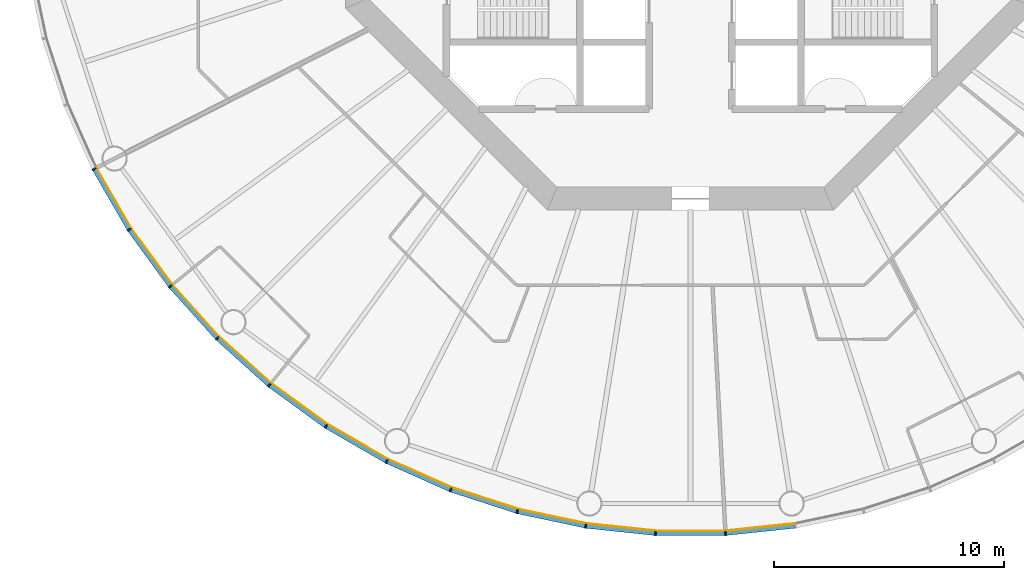
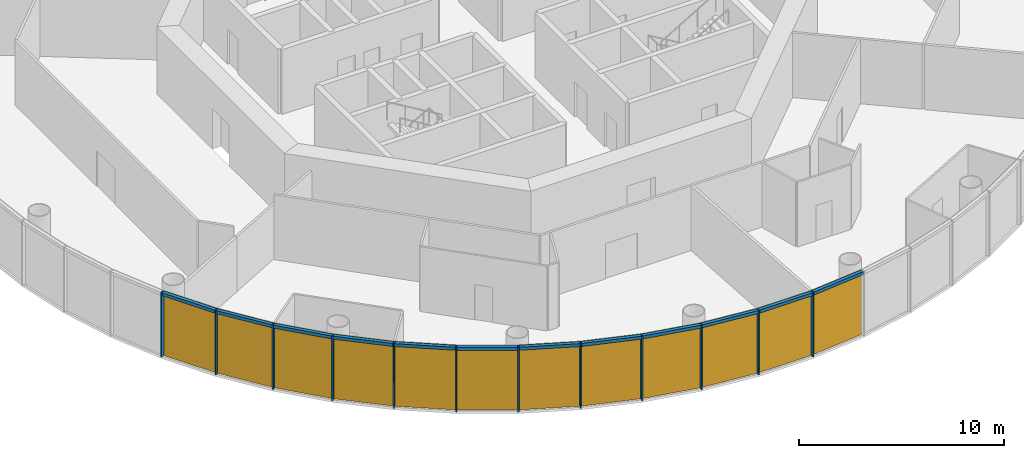
# One storey, part 7 of 13: 24 members, 4 curtain walls.
"""IFC4 building model written with IfcOpenShell, lengths in metres."""

import ifcopenshell
import ifcopenshell.guid

model = None  # the IFC model being written
_history = None  # IfcOwnerHistory: only IFC2X3 demands one
_inside = {}  # id of a spatial element -> (the spatial element, [elements in it])
_under = {}  # id of a project, library or spatial element -> (it, [spatial elements below it])
_declared = {}  # id of a project -> (the project, [libraries it declares])
_typed = {}  # id of a type object -> (the type object, [elements of that type])
_made_of = {}  # id of a material, layer set ... -> (it, [elements and type objects made of it])


def new_model(schema):
    """Start an empty IFC model of exactly this schema.

    Asked for "IFC4X3", IfcOpenShell would pick the latest addendum, in which some entities
    have other attributes; the version numbers below select the first issue.
    IFC2X3 requires an IfcOwnerHistory on every rooted entity: one is made here for all.
    """
    global model, _history
    if schema == "IFC4X3":
        model = ifcopenshell.file(schema_version=(4, 3, 0, 0))
    else:
        model = ifcopenshell.file(schema=schema)
    _inside.clear()
    _under.clear()
    _declared.clear()
    _typed.clear()
    _made_of.clear()
    _history = None
    if model.schema == "IFC2X3":
        org = make("IfcOrganization", Name="unknown")
        user = make(
            "IfcPersonAndOrganization",
            ThePerson=make("IfcPerson", FamilyName="unknown"),
            TheOrganization=org,
        )
        app = make(
            "IfcApplication",
            ApplicationDeveloper=org,
            Version="unknown",
            ApplicationFullName="unknown",
            ApplicationIdentifier="unknown",
        )
        _history = make(
            "IfcOwnerHistory",
            OwningUser=user,
            OwningApplication=app,
            ChangeAction="ADDED",
            CreationDate=0,
        )
    return model


def make(cls, **values):
    """One entity of the class cls with the attributes given. An attribute that is None is left unset."""
    return model.create_entity(
        cls, **{name: value for name, value in values.items() if value is not None}
    )


def rooted(cls, **values):
    """An entity with a GlobalId (a new one), such as an element, a storey or a relation."""
    return make(cls, GlobalId=ifcopenshell.guid.new(), OwnerHistory=_history, **values)


def si_unit(unit_type, name, prefix=None):
    """IfcSIUnit, for example si_unit("LENGTHUNIT", "METRE", prefix="MILLI")."""
    return make("IfcSIUnit", UnitType=unit_type, Prefix=prefix, Name=name)


def assignment(units):
    """IfcUnitAssignment: the units of a project."""
    return None if units is None else make("IfcUnitAssignment", Units=units)


def point(xyz):
    """IfcCartesianPoint."""
    return None if xyz is None else make("IfcCartesianPoint", Coordinates=xyz)


def direction(xyz):
    """IfcDirection."""
    return None if xyz is None else make("IfcDirection", DirectionRatios=xyz)


def frame(location, z_axis=None, x_axis=None):
    """IfcAxis2Placement3D, a coordinate frame: its origin and axes. An axis left out is left unset."""
    return make(
        "IfcAxis2Placement3D",
        Location=point(location),
        Axis=direction(z_axis),
        RefDirection=direction(x_axis),
    )


def frame_2d(location, x_axis=None):
    """IfcAxis2Placement2D, a coordinate frame in the plane: its origin and x axis."""
    return make(
        "IfcAxis2Placement2D", Location=point(location), RefDirection=direction(x_axis)
    )


def origin():
    """The frame at (0, 0, 0) with its axes left unset."""
    return frame((0.0, 0.0, 0.0))


def origin_2d():
    """The frame at (0, 0) in the plane with its x axis left unset."""
    return frame_2d((0.0, 0.0))


def place(relative_to, where):
    """IfcLocalPlacement: puts the frame where relative to a parent placement (None: the world)."""
    return make(
        "IfcLocalPlacement", PlacementRelTo=relative_to, RelativePlacement=where
    )


def context(
    kind, dimensions, precision=None, world=None, true_north=None, identifier=None
):
    """IfcGeometricRepresentationContext, for example the 3D "Model" context."""
    return make(
        "IfcGeometricRepresentationContext",
        ContextIdentifier=identifier,
        ContextType=kind,
        CoordinateSpaceDimension=dimensions,
        Precision=precision,
        WorldCoordinateSystem=world,
        TrueNorth=true_north,
    )


def subcontext(parent, identifier, kind, view, scale=None):
    """IfcGeometricRepresentationSubContext, for example "Body" below "Model"."""
    return make(
        "IfcGeometricRepresentationSubContext",
        ContextIdentifier=identifier,
        ContextType=kind,
        ParentContext=parent,
        TargetScale=scale,
        TargetView=view,
    )


def project(units=None, contexts=None):
    """IfcProject with its units and contexts."""
    return rooted(
        "IfcProject",
        Name="project",
        RepresentationContexts=contexts,
        UnitsInContext=assignment(units),
    )


def spatial(cls, under=None, at=None, **own):
    """A site, building, storey or space (cls), placed at a placement, below another one or the project."""
    s = rooted(cls, ObjectPlacement=at, **own)
    if under is not None:
        _under.setdefault(under.id(), (under, []))[1].append(s)
    return s


def polyline(points):
    """IfcPolyline through the points."""
    return make("IfcPolyline", Points=[point(p) for p in points])


def profile(cls, at=None, kind="AREA", **sizes):
    """A parametric profile (cls). Its sizes go by their IFC names, for example OverallWidth=200.0."""
    return make(cls, ProfileType=kind, Position=at, **sizes)


def rectangle(**sizes):
    """IfcRectangleProfileDef."""
    return profile("IfcRectangleProfileDef", **sizes)


def outline(outer, holes=None, kind="AREA"):
    """IfcArbitraryClosedProfileDef: a profile drawn as a closed curve; with holes, ...WithVoids."""
    if holes is None:
        return make("IfcArbitraryClosedProfileDef", ProfileType=kind, OuterCurve=outer)
    return make(
        "IfcArbitraryProfileDefWithVoids",
        ProfileType=kind,
        OuterCurve=outer,
        InnerCurves=holes,
    )


def extrude(swept, where, along, depth):
    """IfcExtrudedAreaSolid: the profile swept, set in the frame where, extruded along a direction by depth."""
    return make(
        "IfcExtrudedAreaSolid",
        SweptArea=swept,
        Position=where,
        ExtrudedDirection=direction(along),
        Depth=depth,
    )


def shape(context_of_items, identifier, shape_type, items):
    """IfcShapeRepresentation: the items that make up one representation, for example the "Body"."""
    return make(
        "IfcShapeRepresentation",
        ContextOfItems=context_of_items,
        RepresentationIdentifier=identifier,
        RepresentationType=shape_type,
        Items=items,
    )


def material(Name=None, Category=None):
    """IfcMaterial."""
    return make("IfcMaterial", Name=Name, Category=Category)


def layer(
    of_material, thickness, ventilated=None, Name=None, Category=None, Priority=None
):
    """IfcMaterialLayer: one layer of a wall or slab, of a material (None: an air gap)."""
    return make(
        "IfcMaterialLayer",
        Material=of_material,
        LayerThickness=thickness,
        IsVentilated=ventilated,
        Name=Name,
        Category=Category,
        Priority=Priority,
    )


def layer_set(layers, Name=None):
    """IfcMaterialLayerSet."""
    return make("IfcMaterialLayerSet", MaterialLayers=layers, LayerSetName=Name)


def material_profile(
    of_material, cross_section, Name=None, Category=None, Priority=None
):
    """IfcMaterialProfile: a cross section and its material."""
    return make(
        "IfcMaterialProfile",
        Name=Name,
        Material=of_material,
        Profile=cross_section,
        Priority=Priority,
        Category=Category,
    )


def profile_set(profiles, Name=None, composite=None):
    """IfcMaterialProfileSet."""
    return make(
        "IfcMaterialProfileSet",
        Name=Name,
        MaterialProfiles=profiles,
        CompositeProfile=composite,
    )


def made_of(thing, what):
    """Note that an element or type object is made of a material, layer set ...; save() writes the relation."""
    if what is not None:
        _made_of.setdefault(what.id(), (what, []))[1].append(thing)
    return thing


def type_object(cls, material=None, **own):
    """A type object (cls), such as IfcWallType, which elements share."""
    return made_of(rooted(cls, **own), material)


def element(
    cls,
    number,
    at=None,
    inside=None,
    cuts=None,
    type_object=None,
    material=None,
    context=None,
    identifier="Body",
    shape_type=None,
    held_by="IfcProductDefinitionShape",
    body=None,
    shapes=None,
    **own,
):
    """One element of the class cls, such as IfcWall. Its Tag is "e" and its number.

    at: its placement. inside: the storey or other place that contains it. cuts: it is an
    opening in that element (IfcRelVoidsElement). A single representation is given by context,
    identifier, shape_type and body (its items); several are given by shapes. held_by: the class
    of the entity that holds the representations. save() writes the other relations.
    """
    e = rooted(cls, Tag="e%d" % number, ObjectPlacement=at, **own)
    if body is not None:
        shapes = [shape(context, identifier, shape_type, body)]
    if shapes is not None:
        e.Representation = make(held_by, Representations=shapes)
    if inside is not None:
        _inside.setdefault(inside.id(), (inside, []))[1].append(e)
    if cuts is not None:
        rooted(
            "IfcRelVoidsElement", RelatingBuildingElement=cuts, RelatedOpeningElement=e
        )
    if type_object is not None:
        _typed.setdefault(type_object.id(), (type_object, []))[1].append(e)
    return made_of(e, material)


def aggregate(whole, parts):
    """IfcRelAggregates: a whole, such as a stair, and the parts it consists of."""
    return rooted("IfcRelAggregates", RelatingObject=whole, RelatedObjects=parts)


def save(model, path):
    """Write the relations noted so far, then the file.

    IfcRelAggregates (storeys below a building ...), IfcRelContainedInSpatialStructure (elements
    in a storey), IfcRelDefinesByType, IfcRelAssociatesMaterial and IfcRelDeclares: one each for
    every whole, place, type object, material and project.
    """
    for whole, parts in _under.values():
        aggregate(whole, parts)
    for where, things in _inside.values():
        rooted(
            "IfcRelContainedInSpatialStructure",
            RelatedElements=things,
            RelatingStructure=where,
        )
    for kind, things in _typed.values():
        rooted("IfcRelDefinesByType", RelatedObjects=things, RelatingType=kind)
    for what, things in _made_of.values():
        rooted("IfcRelAssociatesMaterial", RelatedObjects=things, RelatingMaterial=what)
    for by, libraries in _declared.values():
        rooted("IfcRelDeclares", RelatingContext=by, RelatedDefinitions=libraries)
    model.write(path)


model = new_model("IFC4")

# Units and contexts
model_context = context("Model", 3, precision=1e-05, world=origin(), true_north=direction((0.0, 1.0)))
body_context = subcontext(model_context, "Body", "Model", "MODEL_VIEW")
ifc_project = project(units=[si_unit("LENGTHUNIT", "METRE"), si_unit("AREAUNIT", "SQUARE_METRE"), si_unit("VOLUMEUNIT", "CUBIC_METRE"), si_unit("PLANEANGLEUNIT", "RADIAN"), si_unit("MASSUNIT", "GRAM", prefix="KILO")], contexts=[model_context])

# Member
ifc_material_1 = material(Name="Anodised aluminium", Category="aluminium")
ifc_material_profile_1 = material_profile(ifc_material_1, rectangle(XDim=0.06494140625, YDim=0.18505859375, at=origin_2d()), Name="Mullion 65 x 185 mm anodised aluminium")
ifc_profile_set_1 = profile_set([ifc_material_profile_1], Name="Anodised aluminium")
member_type_1 = type_object("IfcMemberType", Name="Mullion 65 x 185 mm anodised aluminium", PredefinedType="MULLION", material=ifc_profile_set_1)
site_placement = place(None, origin())
building_placement = place(site_placement, origin())
storey_placement = place(building_placement, frame((0.0, 0.0, 188.0)))
member_1_placement = place(storey_placement, frame((64.078369140625, 66.792236328125, 0.0), z_axis=(0.0, 0.0, 1.0), x_axis=(0.45399049974, -0.891006524188, 0.0)))
member_1 = element("IfcMember", 1, at=member_1_placement, type_object=member_type_1, Name="MULLION L43-33", PredefinedType="MULLION", context=body_context, shape_type="SweptSolid", body=[
    extrude(rectangle(XDim=0.06494140625, YDim=0.18505859375, at=origin_2d()), origin(), (0.0, 0.0, 1.0), 3.85009765625),
])

member_2_placement = place(storey_placement, frame((65.60107421875, 64.155029296875, 0.0), z_axis=(0.0, 0.0, 1.0), x_axis=(0.544639035015, -0.838670567945, 0.0)))
member_2 = element("IfcMember", 2, at=member_2_placement, type_object=member_type_1, Name="MULLION L43-34", PredefinedType="MULLION", context=body_context, shape_type="SweptSolid", body=[
    extrude(rectangle(XDim=0.06494140625, YDim=0.18505859375, at=origin_2d()), origin(), (0.0, 0.0, 1.0), 3.85009765625),
])

member_3_placement = place(storey_placement, frame((67.390869140625, 61.69140625, 0.0), z_axis=(0.0, 0.0, 1.0), x_axis=(0.62932039105, -0.777145961457, 0.0)))
member_3 = element("IfcMember", 3, at=member_3_placement, type_object=member_type_1, Name="MULLION L43-35", PredefinedType="MULLION", context=body_context, shape_type="SweptSolid", body=[
    extrude(rectangle(XDim=0.06494140625, YDim=0.18505859375, at=origin_2d()), origin(), (0.0, 0.0, 1.0), 3.85009765625),
])

member_4_placement = place(storey_placement, frame((69.428466796875, 59.428466796875, 0.0), z_axis=(0.0, 0.0, 1.0), x_axis=(0.707106781187, -0.707106781187, 0.0)))
member_4 = element("IfcMember", 4, at=member_4_placement, type_object=member_type_1, Name="MULLION L43-36", PredefinedType="MULLION", context=body_context, shape_type="SweptSolid", body=[
    extrude(rectangle(XDim=0.06494140625, YDim=0.18505859375, at=origin_2d()), origin(), (0.0, 0.0, 1.0), 3.85009765625),
])

member_5_placement = place(storey_placement, frame((71.69140625, 57.390869140625, 0.0), z_axis=(0.0, 0.0, 1.0), x_axis=(0.777145961457, -0.62932039105, 0.0)))
member_5 = element("IfcMember", 5, at=member_5_placement, type_object=member_type_1, Name="MULLION L43-37", PredefinedType="MULLION", context=body_context, shape_type="SweptSolid", body=[
    extrude(rectangle(XDim=0.06494140625, YDim=0.18505859375, at=origin_2d()), origin(), (0.0, 0.0, 1.0), 3.85009765625),
])

member_6_placement = place(storey_placement, frame((74.155029296875, 55.60107421875, 0.0), z_axis=(0.0, 0.0, 1.0), x_axis=(0.838670567945, -0.544639035015, 0.0)))
member_6 = element("IfcMember", 6, at=member_6_placement, type_object=member_type_1, Name="MULLION L43-38", PredefinedType="MULLION", context=body_context, shape_type="SweptSolid", body=[
    extrude(rectangle(XDim=0.06494140625, YDim=0.18505859375, at=origin_2d()), origin(), (0.0, 0.0, 1.0), 3.85009765625),
])

member_7_placement = place(storey_placement, frame((76.792236328125, 54.078369140625, 0.0), z_axis=(0.0, 0.0, 1.0), x_axis=(0.891006524188, -0.45399049974, 0.0)))
member_7 = element("IfcMember", 7, at=member_7_placement, type_object=member_type_1, Name="MULLION L43-39", PredefinedType="MULLION", context=body_context, shape_type="SweptSolid", body=[
    extrude(rectangle(XDim=0.06494140625, YDim=0.18505859375, at=origin_2d()), origin(), (0.0, 0.0, 1.0), 3.85009765625),
])

member_8_placement = place(storey_placement, frame((79.57421875, 52.83984375, 0.0), z_axis=(0.0, 0.0, 1.0), x_axis=(0.933580426497, -0.358367949545, 0.0)))
member_8 = element("IfcMember", 8, at=member_8_placement, type_object=member_type_1, Name="MULLION L43-40", PredefinedType="MULLION", context=body_context, shape_type="SweptSolid", body=[
    extrude(rectangle(XDim=0.06494140625, YDim=0.18505859375, at=origin_2d()), origin(), (0.0, 0.0, 1.0), 3.85009765625),
])

member_9_placement = place(storey_placement, frame((82.47021484375, 51.898681640625, 0.0), z_axis=(0.0, 0.0, 1.0), x_axis=(0.965925826289, -0.258819045103, 0.0)))
member_9 = element("IfcMember", 9, at=member_9_placement, type_object=member_type_1, Name="MULLION L43-41", PredefinedType="MULLION", context=body_context, shape_type="SweptSolid", body=[
    extrude(rectangle(XDim=0.06494140625, YDim=0.18505859375, at=origin_2d()), origin(), (0.0, 0.0, 1.0), 3.85009765625),
])

member_10_placement = place(storey_placement, frame((85.448974609375, 51.265625, 0.0), z_axis=(0.0, 0.0, 1.0), x_axis=(0.987688340595, -0.15643446504, 0.0)))
member_10 = element("IfcMember", 10, at=member_10_placement, type_object=member_type_1, Name="MULLION L43-42", PredefinedType="MULLION", context=body_context, shape_type="SweptSolid", body=[
    extrude(rectangle(XDim=0.06494140625, YDim=0.18505859375, at=origin_2d()), origin(), (0.0, 0.0, 1.0), 3.85009765625),
])

member_11_placement = place(storey_placement, frame((88.477294921875, 50.947265625, 0.0), z_axis=(0.0, 0.0, 1.0), x_axis=(0.998629534755, -0.052335956243, 0.0)))
member_11 = element("IfcMember", 11, at=member_11_placement, type_object=member_type_1, Name="MULLION L43-43", PredefinedType="MULLION", context=body_context, shape_type="SweptSolid", body=[
    extrude(rectangle(XDim=0.06494140625, YDim=0.18505859375, at=origin_2d()), origin(), (0.0, 0.0, 1.0), 3.85009765625),
])

member_12_placement = place(storey_placement, frame((91.522705078125, 50.947265625, 0.0), z_axis=(0.0, 0.0, 1.0), x_axis=(0.998629534755, 0.052335956243, 0.0)))
member_12 = element("IfcMember", 12, at=member_12_placement, type_object=member_type_1, Name="MULLION L43-44", PredefinedType="MULLION", context=body_context, shape_type="SweptSolid", body=[
    extrude(rectangle(XDim=0.06494140625, YDim=0.18505859375, at=origin_2d()), origin(), (0.0, 0.0, 1.0), 3.85009765625),
])

ifc_material_2 = material(Name="Anodised aluminium", Category="aluminium")
ifc_material_profile_2 = material_profile(ifc_material_2, rectangle(XDim=0.18505859375, YDim=0.175048828125, at=origin_2d()), Name="Transom 175 x 185 mm anodised aluminium")
ifc_profile_set_2 = profile_set([ifc_material_profile_2], Name="Anodised aluminium")
member_type_2 = type_object("IfcMemberType", Name="Transom 175 x 185 mm anodised aluminium", PredefinedType="USERDEFINED", material=ifc_profile_set_2)
member_13_placement = place(storey_placement, frame((64.096923828125, 66.759765625, 3.762451171875), z_axis=(0.500028367561, -0.866009025146, 0.0), x_axis=(0.866009025146, 0.500028367561, 0.0)))
member_13 = element("IfcMember", 13, at=member_13_placement, type_object=member_type_2, Name="TRANSOM L43-33", ObjectType="TRANSOM", PredefinedType="USERDEFINED", context=body_context, shape_type="SweptSolid", body=[
    extrude(rectangle(XDim=0.18505859375, YDim=0.175048828125, at=origin_2d()), origin(), (0.0, 0.0, 1.0), 2.970458984375),
])

member_14_placement = place(storey_placement, frame((65.622802734375, 64.124755859375, 3.762451171875), z_axis=(0.587819781808, -0.808991906087, 0.0), x_axis=(0.808991906087, 0.587819781808, 0.0)))
member_14 = element("IfcMember", 14, at=member_14_placement, type_object=member_type_2, Name="TRANSOM L43-34", ObjectType="TRANSOM", PredefinedType="USERDEFINED", context=body_context, shape_type="SweptSolid", body=[
    extrude(rectangle(XDim=0.18505859375, YDim=0.175048828125, at=origin_2d()), origin(), (0.0, 0.0, 1.0), 2.970458984375),
])

member_15_placement = place(storey_placement, frame((67.415771484375, 61.66357421875, 3.762451171875), z_axis=(0.669110027395, -0.743163354343, 0.0), x_axis=(0.743163354343, 0.669110027395, 0.0)))
member_15 = element("IfcMember", 15, at=member_15_placement, type_object=member_type_2, Name="TRANSOM L43-35", ObjectType="TRANSOM", PredefinedType="USERDEFINED", context=body_context, shape_type="SweptSolid", body=[
    extrude(rectangle(XDim=0.18505859375, YDim=0.175048828125, at=origin_2d()), origin(), (0.0, 0.0, 1.0), 2.970458984375),
])

member_16_placement = place(storey_placement, frame((69.4560546875, 59.4033203125, 3.762451171875), z_axis=(0.743163354343, -0.669110027395, 0.0), x_axis=(0.669110027395, 0.743163354343, 0.0)))
member_16 = element("IfcMember", 16, at=member_16_placement, type_object=member_type_2, Name="TRANSOM L43-36", ObjectType="TRANSOM", PredefinedType="USERDEFINED", context=body_context, shape_type="SweptSolid", body=[
    extrude(rectangle(XDim=0.18505859375, YDim=0.175048828125, at=origin_2d()), origin(), (0.0, 0.0, 1.0), 2.970458984375),
])

member_17_placement = place(storey_placement, frame((71.7216796875, 57.368896484375, 3.762451171875), z_axis=(0.808991906087, -0.587819781808, 0.0), x_axis=(0.587819781808, 0.808991906087, 0.0)))
member_17 = element("IfcMember", 17, at=member_17_placement, type_object=member_type_2, Name="TRANSOM L43-37", ObjectType="TRANSOM", PredefinedType="USERDEFINED", context=body_context, shape_type="SweptSolid", body=[
    extrude(rectangle(XDim=0.18505859375, YDim=0.175048828125, at=origin_2d()), origin(), (0.0, 0.0, 1.0), 2.970458984375),
])

member_18_placement = place(storey_placement, frame((74.187255859375, 55.582275390625, 3.762451171875), z_axis=(0.866009025146, -0.500028367561, 0.0), x_axis=(0.500028367561, 0.866009025146, 0.0)))
member_18 = element("IfcMember", 18, at=member_18_placement, type_object=member_type_2, Name="TRANSOM L43-38", ObjectType="TRANSOM", PredefinedType="USERDEFINED", context=body_context, shape_type="SweptSolid", body=[
    extrude(rectangle(XDim=0.18505859375, YDim=0.175048828125, at=origin_2d()), origin(), (0.0, 0.0, 1.0), 2.970458984375),
])

member_19_placement = place(storey_placement, frame((76.826416015625, 54.06298828125, 3.762451171875), z_axis=(0.913567348806, -0.406687471156, 0.0), x_axis=(0.406687471156, 0.913567348806, 0.0)))
member_19 = element("IfcMember", 19, at=member_19_placement, type_object=member_type_2, Name="TRANSOM L43-39", ObjectType="TRANSOM", PredefinedType="USERDEFINED", context=body_context, shape_type="SweptSolid", body=[
    extrude(rectangle(XDim=0.18505859375, YDim=0.175048828125, at=origin_2d()), origin(), (0.0, 0.0, 1.0), 2.970458984375),
])

member_20_placement = place(storey_placement, frame((79.609619140625, 52.828125, 3.762451171875), z_axis=(0.951055809184, -0.30901917063, 0.0), x_axis=(0.30901917063, 0.951055809184, 0.0)))
member_20 = element("IfcMember", 20, at=member_20_placement, type_object=member_type_2, Name="TRANSOM L43-40", ObjectType="TRANSOM", PredefinedType="USERDEFINED", context=body_context, shape_type="SweptSolid", body=[
    extrude(rectangle(XDim=0.18505859375, YDim=0.175048828125, at=origin_2d()), origin(), (0.0, 0.0, 1.0), 2.970703125),
])

member_21_placement = place(storey_placement, frame((82.5068359375, 51.890869140625, 3.762451171875), z_axis=(0.97815822425, -0.207861704825, 0.0), x_axis=(0.207861704825, 0.97815822425, 0.0)))
member_21 = element("IfcMember", 21, at=member_21_placement, type_object=member_type_2, Name="TRANSOM L43-41", ObjectType="TRANSOM", PredefinedType="USERDEFINED", context=body_context, shape_type="SweptSolid", body=[
    extrude(rectangle(XDim=0.18505859375, YDim=0.175048828125, at=origin_2d()), origin(), (0.0, 0.0, 1.0), 2.970458984375),
])

member_22_placement = place(storey_placement, frame((85.486083984375, 51.26171875, 3.762451171875), z_axis=(0.994519855197, -0.104547872381, 0.0), x_axis=(0.104547872381, 0.994519855197, 0.0)))
member_22 = element("IfcMember", 22, at=member_22_placement, type_object=member_type_2, Name="TRANSOM L43-42", ObjectType="TRANSOM", PredefinedType="USERDEFINED", context=body_context, shape_type="SweptSolid", body=[
    extrude(rectangle(XDim=0.18505859375, YDim=0.175048828125, at=origin_2d()), origin(), (0.0, 0.0, 1.0), 2.970458984375),
])

member_23_placement = place(storey_placement, frame((88.5146484375, 50.947265625, 3.762451171875), z_axis=(1.0, 0.0, 0.0), x_axis=(0.0, 1.0, 0.0)))
member_23 = element("IfcMember", 23, at=member_23_placement, type_object=member_type_2, Name="TRANSOM L43-43", ObjectType="TRANSOM", PredefinedType="USERDEFINED", context=body_context, shape_type="SweptSolid", body=[
    extrude(rectangle(XDim=0.18505859375, YDim=0.175048828125, at=origin_2d()), origin(), (0.0, 0.0, 1.0), 2.970703125),
])

member_24_placement = place(storey_placement, frame((91.559814453125, 50.951171875, 3.762451171875), z_axis=(0.994519855197, 0.104547872381, 0.0), x_axis=(-0.104547872381, 0.994519855197, 0.0)))
member_24 = element("IfcMember", 24, at=member_24_placement, type_object=member_type_2, Name="TRANSOM L43-44", ObjectType="TRANSOM", PredefinedType="USERDEFINED", context=body_context, shape_type="SweptSolid", body=[
    extrude(rectangle(XDim=0.18505859375, YDim=0.175048828125, at=origin_2d()), origin(), (0.0, 0.0, 1.0), 2.970458984375),
])

# Site, building, storey
site = spatial("IfcSite", under=ifc_project, at=site_placement, CompositionType="ELEMENT")
building = spatial("IfcBuilding", under=site, at=building_placement, Name="Entoto Ring Tower", CompositionType="ELEMENT")
storey = spatial("IfcBuildingStorey", under=building, at=storey_placement, Name="L43", CompositionType="ELEMENT", Elevation=188.0)

# Curtain wall
ifc_material_3 = material(Name="Clear low-iron glass", Category="glass")
ifc_layer = layer(ifc_material_3, 0.033935546875)
ifc_layer_set = layer_set([ifc_layer], Name="Clear low-iron glass")
curtain_wall_type = type_object("IfcCurtainWallType", Name="Curtain wall system CW3 glazing 34 mm", PredefinedType="NOTDEFINED", material=ifc_layer_set)
curtain_wall_1_placement = place(storey_placement, origin())
curtain_wall_1 = element("IfcCurtainWall", 25, at=curtain_wall_1_placement, inside=storey, type_object=curtain_wall_type, Name="CW3 L43-12", PredefinedType="NOTDEFINED", context=body_context, shape_type="SweptSolid", body=[
    extrude(outline(polyline([(64.160888671875, 66.834228515625), (65.678466796875, 64.20556640625), (67.462646484375, 61.749755859375), (69.493896484375, 59.493896484375), (69.51806640625, 59.51806640625), (67.4892578125, 61.771240234375), (65.70703125, 64.22412109375), (64.191162109375, 66.849853515625), (64.160888671875, 66.834228515625)])), origin(), (0.0, 0.0, 1.0), 3.85009765625),
])

aggregate(curtain_wall_1, [member_1, member_2, member_3, member_13, member_14, member_15])

curtain_wall_2_placement = place(storey_placement, origin())
curtain_wall_2 = element("IfcCurtainWall", 26, at=curtain_wall_2_placement, inside=storey, type_object=curtain_wall_type, Name="CW3 L43-13", PredefinedType="NOTDEFINED", context=body_context, shape_type="SweptSolid", body=[
    extrude(outline(polyline([(69.493896484375, 59.493896484375), (71.749755859375, 57.462646484375), (74.20556640625, 55.678466796875), (76.834228515625, 54.160888671875), (76.849853515625, 54.191162109375), (74.22412109375, 55.70703125), (71.771240234375, 57.4892578125), (69.51806640625, 59.51806640625), (69.493896484375, 59.493896484375)])), origin(), (0.0, 0.0, 1.0), 3.85009765625),
])

aggregate(curtain_wall_2, [member_4, member_5, member_6, member_16, member_17, member_18])

curtain_wall_3_placement = place(storey_placement, origin())
curtain_wall_3 = element("IfcCurtainWall", 27, at=curtain_wall_3_placement, inside=storey, type_object=curtain_wall_type, Name="CW3 L43-14", PredefinedType="NOTDEFINED", context=body_context, shape_type="SweptSolid", body=[
    extrude(outline(polyline([(76.834228515625, 54.160888671875), (79.607421875, 52.92626953125), (82.494140625, 51.988037109375), (85.46337890625, 51.35693359375), (85.46875, 51.390625), (82.503173828125, 52.02099609375), (79.61962890625, 52.9580078125), (76.849853515625, 54.191162109375), (76.834228515625, 54.160888671875)])), origin(), (0.0, 0.0, 1.0), 3.85009765625),
])

aggregate(curtain_wall_3, [member_7, member_8, member_9, member_19, member_20, member_21])

curtain_wall_4_placement = place(storey_placement, origin())
curtain_wall_4 = element("IfcCurtainWall", 28, at=curtain_wall_4_placement, inside=storey, type_object=curtain_wall_type, Name="CW3 L43-15", PredefinedType="NOTDEFINED", context=body_context, shape_type="SweptSolid", body=[
    extrude(outline(polyline([(85.46337890625, 51.35693359375), (88.482177734375, 51.039794921875), (91.517822265625, 51.039794921875), (94.53662109375, 51.35693359375), (94.53125, 51.390625), (91.515869140625, 51.07373046875), (88.484130859375, 51.07373046875), (85.46875, 51.390625), (85.46337890625, 51.35693359375)])), origin(), (0.0, 0.0, 1.0), 3.85009765625),
])

aggregate(curtain_wall_4, [member_10, member_11, member_12, member_22, member_23, member_24])

save(model, "model.ifc")
